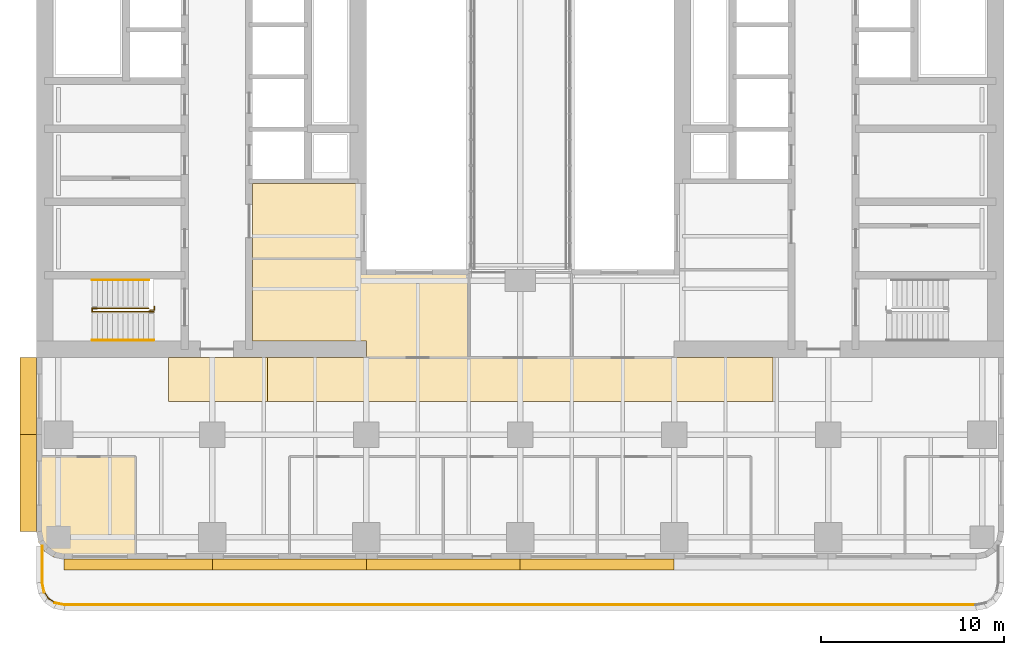
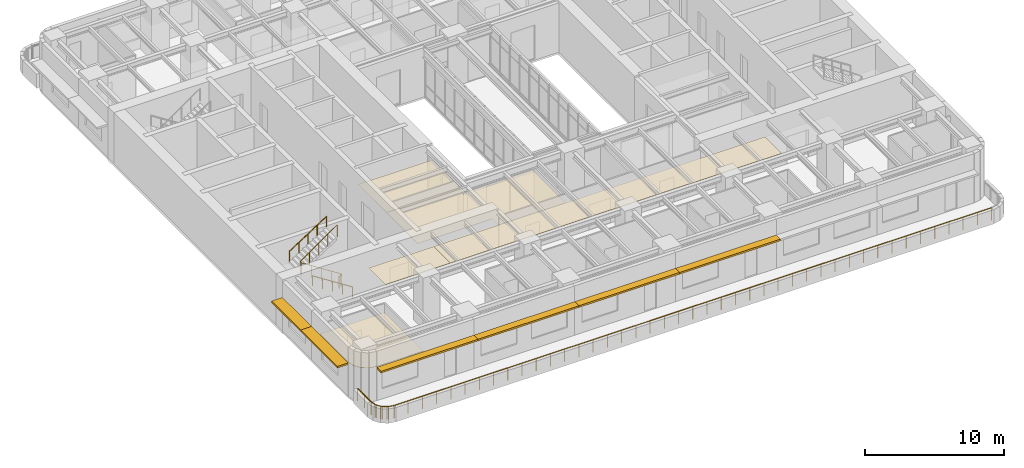
# One storey, part 14 of 17: 10 railings, 6 shading devices, 5 coverings.
"""IFC4 building model written with IfcOpenShell, lengths in metres."""

from ifc_helpers import new_model, si_unit, direction, frame, origin, origin_2d, place, context, subcontext, project, spatial, polyline, rectangle, circle, outline, extrude, material, layer, layer_set, type_object, element, save


model = new_model("IFC4")

# Units and contexts
model_context = context("Model", 3, precision=1e-05, world=origin(), true_north=direction((0.0, 1.0)))
body_context = subcontext(model_context, "Body", "Model", "MODEL_VIEW")
ifc_project = project(units=[si_unit("LENGTHUNIT", "METRE"), si_unit("AREAUNIT", "SQUARE_METRE"), si_unit("VOLUMEUNIT", "CUBIC_METRE"), si_unit("PLANEANGLEUNIT", "RADIAN"), si_unit("MASSUNIT", "GRAM", prefix="KILO")], contexts=[model_context])

# Site, building, storey
site_placement = place(None, origin())
site = spatial("IfcSite", under=ifc_project, at=site_placement, CompositionType="ELEMENT")
building_placement = place(site_placement, origin())
building = spatial("IfcBuilding", under=site, at=building_placement, Name="Claustro Exchange Tower", CompositionType="ELEMENT")
storey_placement = place(building_placement, frame((0.0, 0.0, 96.300048828125)))
storey = spatial("IfcBuildingStorey", under=building, at=storey_placement, Name="L21", CompositionType="ELEMENT", Elevation=96.300048828125)

# Coverings
ifc_material_1 = material(Name="Perforated metal ceiling tiles", Category="steel")
ifc_layer_1 = layer(ifc_material_1, 0.030029296875)
ifc_layer_set_1 = layer_set([ifc_layer_1], Name="Perforated metal ceiling tiles")
covering_type_1 = type_object("IfcCoveringType", Name="CL1 suspended metal ceiling", PredefinedType="CEILING", material=ifc_layer_set_1)
covering_1_placement = place(storey_placement, frame((0.0, 0.0, 3.0)))
element("IfcCovering", 1, at=covering_1_placement, inside=storey, type_object=covering_type_1, Name="Ceiling CL1 L21-08", PredefinedType="CEILING", context=body_context, shape_type="SweptSolid", body=[
    extrude(outline(polyline([(10.60009765625, 12.60009765625), (6.0, 12.60009765625), (6.0, 10.199951171875), (11.39990234375, 10.199951171875), (11.39990234375, 12.60009765625), (10.60009765625, 12.60009765625)])), origin(), (0.0, 0.0, 1.0), 0.030029296875),
])
covering_2_placement = place(storey_placement, frame((0.0, 0.0, 3.0)))
element("IfcCovering", 2, at=covering_2_placement, inside=storey, type_object=covering_type_1, Name="Ceiling CL1 L21-09", PredefinedType="CEILING", context=body_context, shape_type="SweptSolid", body=[
    extrude(outline(polyline([(11.39990234375, 10.199951171875), (39.0, 10.199951171875), (39.0, 12.60009765625), (11.39990234375, 12.60009765625), (11.39990234375, 10.199951171875)])), origin(), (0.0, 0.0, 1.0), 0.030029296875),
])
ifc_material_2 = material(Name="Gypsum board ceiling", Category="gypsum board")
ifc_layer_2 = layer(ifc_material_2, 0.02490234375)
ifc_layer_set_2 = layer_set([ifc_layer_2], Name="Gypsum board ceiling")
covering_type_2 = type_object("IfcCoveringType", Name="CL2 plasterboard ceiling", PredefinedType="CEILING", material=ifc_layer_set_2)
covering_3_placement = place(storey_placement, frame((0.0, 0.0, 3.0)))
element("IfcCovering", 3, at=covering_3_placement, inside=storey, type_object=covering_type_2, Name="Ceiling CL2 L21-02", PredefinedType="CEILING", context=body_context, shape_type="SweptSolid", body=[
    extrude(outline(polyline([(-1.199951171875, 3.10009765625), (-1.085693359375, 2.52587890625), (-0.7607421875, 2.039306640625), (-0.27392578125, 1.714111328125), (0.300048828125, 1.60009765625), (4.199951171875, 1.60009765625), (4.199951171875, 7.199951171875), (-1.199951171875, 7.199951171875), (-1.199951171875, 3.10009765625)])), origin(), (0.0, 0.0, 1.0), 0.02490234375),
])
covering_4_placement = place(storey_placement, frame((0.0, 0.0, 3.0)))
element("IfcCovering", 4, at=covering_4_placement, inside=storey, type_object=covering_type_2, Name="Ceiling CL2 L21-13", PredefinedType="CEILING", context=body_context, shape_type="SweptSolid", body=[
    extrude(outline(polyline([(10.60009765625, 18.0), (10.60009765625, 13.5), (16.800048828125, 13.5), (16.800048828125, 12.60009765625), (22.39990234375, 12.60009765625), (22.39990234375, 17.39990234375), (16.800048828125, 17.39990234375), (16.800048828125, 18.0), (10.60009765625, 18.0)])), origin(), (0.0, 0.0, 1.0), 0.02490234375),
])
covering_5_placement = place(storey_placement, frame((0.0, 0.0, 3.0)))
element("IfcCovering", 5, at=covering_5_placement, inside=storey, type_object=covering_type_2, Name="Ceiling CL2 L21-15", PredefinedType="CEILING", context=body_context, shape_type="SweptSolid", body=[
    extrude(outline(polyline([(16.800048828125, 18.0), (16.800048828125, 22.10009765625), (10.60009765625, 22.10009765625), (10.60009765625, 18.0), (16.800048828125, 18.0)])), origin(), (0.0, 0.0, 1.0), 0.02490234375),
])

# Railings
ifc_material_3 = material(Name="Steel balustrade, painted", Category="steel")
railing_type_1 = type_object("IfcRailingType", Name="GR2 1100 steel stair guard", PredefinedType="GUARDRAIL", material=ifc_material_3)
railing_1_placement = place(storey_placement, frame((5.199951171875, 15.10009765625, 0.179931640625)))
element("IfcRailing", 6, at=railing_1_placement, inside=storey, type_object=railing_type_1, Name="Stair well guard GR2 stair STWA L21", PredefinedType="GUARDRAIL", context=body_context, shape_type="SweptSolid", body=[
    extrude(circle(Radius=0.02392578125, at=origin_2d()), frame((0.0, 0.0, 1.076171875), z_axis=(-0.841178475377, 0.0, 0.540757591313), x_axis=(0.0, -1.0, 0.0)), (0.0, 0.0, 1.0), 3.994140625),
    extrude(circle(Radius=0.02392578125, at=origin_2d()), frame((-3.35986328125, 0.0, 3.23583984375), z_axis=(0.0, 1.0, 0.0), x_axis=(-1.0, 0.0, 0.0)), (0.0, 0.0, 1.0), 0.199951171875),
    extrude(circle(Radius=0.02392578125, at=origin_2d()), frame((-3.35986328125, 0.199951171875, 3.23583984375), z_axis=(0.818698002193, 0.0, 0.574224330036), x_axis=(0.0, 1.0, 0.0)), (0.0, 0.0, 1.0), 3.761962890625),
    extrude(circle(Radius=0.02099609375, at=origin_2d()), origin(), (0.0, 0.0, 1.0), 1.052001953125),
    extrude(circle(Radius=0.02099609375, at=origin_2d()), frame((-0.83984375, 0.0, 0.5400390625)), (0.0, 0.0, 1.0), 1.052001953125),
    extrude(circle(Radius=0.02099609375, at=origin_2d()), frame((-1.679931640625, 0.0, 1.080078125)), (0.0, 0.0, 1.0), 1.052001953125),
    extrude(circle(Radius=0.02099609375, at=origin_2d()), frame((-2.52001953125, 0.0, 1.619873046875)), (0.0, 0.0, 1.0), 1.052001953125),
    extrude(circle(Radius=0.02099609375, at=origin_2d()), frame((-3.35986328125, 0.0, 2.159912109375)), (0.0, 0.0, 1.0), 1.052001953125),
    extrude(circle(Radius=0.02099609375, at=origin_2d()), frame((-3.35986328125, 0.199951171875, 2.159912109375)), (0.0, 0.0, 1.0), 1.052001953125),
    extrude(circle(Radius=0.02099609375, at=origin_2d()), frame((-2.58984375, 0.199951171875, 2.699951171875)), (0.0, 0.0, 1.0), 1.052001953125),
    extrude(circle(Radius=0.02099609375, at=origin_2d()), frame((-1.81982421875, 0.199951171875, 3.239990234375)), (0.0, 0.0, 1.0), 1.052001953125),
    extrude(circle(Radius=0.02099609375, at=origin_2d()), frame((-1.050048828125, 0.199951171875, 3.780029296875)), (0.0, 0.0, 1.0), 1.052001953125),
    extrude(circle(Radius=0.02099609375, at=origin_2d()), frame((-0.280029296875, 0.199951171875, 4.320068359375)), (0.0, 0.0, 1.0), 1.052001953125),
])
railing_2_placement = place(storey_placement, frame((5.0, 15.169921875, 0.0)))
element("IfcRailing", 7, at=railing_2_placement, inside=storey, type_object=railing_type_1, Name="Stair guard GR2 STWA L21", PredefinedType="GUARDRAIL", context=body_context, shape_type="SweptSolid", body=[
    extrude(circle(Radius=0.02392578125, at=origin_2d()), frame((0.0, 0.0, 1.076171875), z_axis=(0.0, 1.0, 0.0), x_axis=(-1.0, 0.0, 0.0)), (0.0, 0.0, 1.0), 0.030029296875),
    extrude(circle(Radius=0.02392578125, at=origin_2d()), frame((0.0, 0.030029296875, 1.076171875), z_axis=(1.0, 0.0, 0.0), x_axis=(0.0, 1.0, 0.0)), (0.0, 0.0, 1.0), 0.22509765625),
    extrude(circle(Radius=0.02392578125, at=origin_2d()), frame((0.22509765625, 0.030029296875, 1.076171875), z_axis=(0.0, 1.0, 0.0), x_axis=(-1.0, 0.0, 0.0)), (0.0, 0.0, 1.0), 0.179931640625),
    extrude(circle(Radius=0.02099609375, at=origin_2d()), origin(), (0.0, 0.0, 1.0), 1.052001953125),
    extrude(circle(Radius=0.02099609375, at=origin_2d()), frame((0.0, 0.030029296875, 0.0)), (0.0, 0.0, 1.0), 1.052001953125),
    extrude(circle(Radius=0.02099609375, at=origin_2d()), frame((0.22509765625, 0.030029296875, 0.0)), (0.0, 0.0, 1.0), 1.052001953125),
    extrude(circle(Radius=0.02099609375, at=origin_2d()), frame((0.22509765625, 0.2099609375, 0.0)), (0.0, 0.0, 1.0), 1.052001953125),
])
ifc_material_4 = material(Name="Stainless steel posts and rail, laminated glass infill", Category="steel")
railing_type_2 = type_object("IfcRailingType", Name="GR3 1100 terrace guard railing", PredefinedType="GUARDRAIL", material=ifc_material_4)
railing_3_placement = place(storey_placement, frame((-0.101806640625, -0.828125, 0.0)))
element("IfcRailing", 8, at=railing_3_placement, inside=storey, type_object=railing_type_2, Name="Terrace guard GR3 L21", PredefinedType="GUARDRAIL", context=body_context, shape_type="SweptSolid", body=[
    extrude(circle(Radius=0.02392578125, at=origin_2d()), frame((0.0, 0.0, 1.076171875), z_axis=(-0.831407946579, 0.555662511211, 0.0), x_axis=(-0.555662511211, -0.831407946579, 0.0)), (0.0, 0.0, 1.0), 0.585205078125),
    extrude(circle(Radius=0.02099609375, at=origin_2d()), origin(), (0.0, 0.0, 1.0), 1.052001953125),
    extrude(circle(Radius=0.02099609375, at=origin_2d()), frame((-0.486572265625, 0.3251953125, 0.0)), (0.0, 0.0, 1.0), 1.052001953125),
])
railing_4_placement = place(storey_placement, frame((-0.5029296875, -0.58837890625, 0.0)))
element("IfcRailing", 9, at=railing_4_placement, inside=storey, type_object=railing_type_2, Name="Terrace guard GR3 L21", PredefinedType="GUARDRAIL", context=body_context, shape_type="SweptSolid", body=[
    extrude(circle(Radius=0.02392578125, at=origin_2d()), frame((0.0, 0.0, 1.076171875), z_axis=(-0.555662511211, 0.831407946579, 0.0), x_axis=(-0.831407946579, -0.555662511211, 0.0)), (0.0, 0.0, 1.0), 0.585205078125),
    extrude(circle(Radius=0.02099609375, at=origin_2d()), origin(), (0.0, 0.0, 1.0), 1.052001953125),
    extrude(circle(Radius=0.02099609375, at=origin_2d()), frame((-0.3251953125, 0.486572265625, 0.0)), (0.0, 0.0, 1.0), 1.052001953125),
])
railing_5_placement = place(storey_placement, frame((-0.78173828125, -0.21337890625, 0.0)))
element("IfcRailing", 10, at=railing_5_placement, inside=storey, type_object=railing_type_2, Name="Terrace guard GR3 L21", PredefinedType="GUARDRAIL", context=body_context, shape_type="SweptSolid", body=[
    extrude(circle(Radius=0.02392578125, at=origin_2d()), frame((0.0, 0.0, 1.076171875), z_axis=(-0.195233589627, 0.980756771825, 0.0), x_axis=(-0.980756771825, -0.195233589627, 0.0)), (0.0, 0.0, 1.0), 0.585205078125),
    extrude(circle(Radius=0.02099609375, at=origin_2d()), origin(), (0.0, 0.0, 1.0), 1.052001953125),
    extrude(circle(Radius=0.02099609375, at=origin_2d()), frame((-0.1142578125, 0.573974609375, 0.0)), (0.0, 0.0, 1.0), 1.052001953125),
])
railing_6_placement = place(storey_placement, frame((-0.889892578125, 0.300048828125, 0.0)))
element("IfcRailing", 11, at=railing_6_placement, inside=storey, type_object=railing_type_2, Name="Terrace guard GR3 L21", PredefinedType="GUARDRAIL", context=body_context, shape_type="SweptSolid", body=[
    extrude(circle(Radius=0.02392578125, at=origin_2d()), frame((0.0, 0.0, 1.076171875), z_axis=(0.0, 1.0, 0.0), x_axis=(-1.0, 0.0, 0.0)), (0.0, 0.0, 1.0), 2.023193359375),
    extrude(circle(Radius=0.02099609375, at=origin_2d()), origin(), (0.0, 0.0, 1.0), 1.052001953125),
    extrude(circle(Radius=0.02099609375, at=origin_2d()), frame((0.0, 1.01171875, 0.0)), (0.0, 0.0, 1.0), 1.052001953125),
    extrude(circle(Radius=0.02099609375, at=origin_2d()), frame((0.0, 2.023193359375, 0.0)), (0.0, 0.0, 1.0), 1.052001953125),
])
railing_7_placement = place(storey_placement, frame((50.10009765625, -0.889892578125, 0.0)))
element("IfcRailing", 12, at=railing_7_placement, inside=storey, type_object=railing_type_2, Name="Terrace guard GR3 L21", PredefinedType="GUARDRAIL", context=body_context, shape_type="SweptSolid", body=[
    extrude(circle(Radius=0.02392578125, at=origin_2d()), frame((0.0, 0.0, 1.076171875), z_axis=(-1.0, 0.0, 0.0), x_axis=(0.0, -1.0, 0.0)), (0.0, 0.0, 1.0), 49.800048828125),
    extrude(circle(Radius=0.02099609375, at=origin_2d()), origin(), (0.0, 0.0, 1.0), 1.052001953125),
    extrude(circle(Radius=0.02099609375, at=origin_2d()), frame((-1.185791015625, 0.0, 0.0)), (0.0, 0.0, 1.0), 1.052001953125),
    extrude(circle(Radius=0.02099609375, at=origin_2d()), frame((-2.371337890625, 0.0, 0.0)), (0.0, 0.0, 1.0), 1.052001953125),
    extrude(circle(Radius=0.02099609375, at=origin_2d()), frame((-3.55712890625, 0.0, 0.0)), (0.0, 0.0, 1.0), 1.052001953125),
    extrude(circle(Radius=0.02099609375, at=origin_2d()), frame((-4.742919921875, 0.0, 0.0)), (0.0, 0.0, 1.0), 1.052001953125),
    extrude(circle(Radius=0.02099609375, at=origin_2d()), frame((-5.928466796875, 0.0, 0.0)), (0.0, 0.0, 1.0), 1.052001953125),
    extrude(circle(Radius=0.02099609375, at=origin_2d()), frame((-7.1142578125, 0.0, 0.0)), (0.0, 0.0, 1.0), 1.052001953125),
    extrude(circle(Radius=0.02099609375, at=origin_2d()), frame((-8.300048828125, 0.0, 0.0)), (0.0, 0.0, 1.0), 1.052001953125),
    extrude(circle(Radius=0.02099609375, at=origin_2d()), frame((-9.48583984375, 0.0, 0.0)), (0.0, 0.0, 1.0), 1.052001953125),
    extrude(circle(Radius=0.02099609375, at=origin_2d()), frame((-10.67138671875, 0.0, 0.0)), (0.0, 0.0, 1.0), 1.052001953125),
    extrude(circle(Radius=0.02099609375, at=origin_2d()), frame((-11.857177734375, 0.0, 0.0)), (0.0, 0.0, 1.0), 1.052001953125),
    extrude(circle(Radius=0.02099609375, at=origin_2d()), frame((-13.04296875, 0.0, 0.0)), (0.0, 0.0, 1.0), 1.052001953125),
    extrude(circle(Radius=0.02099609375, at=origin_2d()), frame((-14.228515625, 0.0, 0.0)), (0.0, 0.0, 1.0), 1.052001953125),
    extrude(circle(Radius=0.02099609375, at=origin_2d()), frame((-15.414306640625, 0.0, 0.0)), (0.0, 0.0, 1.0), 1.052001953125),
    extrude(circle(Radius=0.02099609375, at=origin_2d()), frame((-16.60009765625, 0.0, 0.0)), (0.0, 0.0, 1.0), 1.052001953125),
    extrude(circle(Radius=0.02099609375, at=origin_2d()), frame((-17.78564453125, 0.0, 0.0)), (0.0, 0.0, 1.0), 1.052001953125),
    extrude(circle(Radius=0.02099609375, at=origin_2d()), frame((-18.971435546875, 0.0, 0.0)), (0.0, 0.0, 1.0), 1.052001953125),
    extrude(circle(Radius=0.02099609375, at=origin_2d()), frame((-20.1572265625, 0.0, 0.0)), (0.0, 0.0, 1.0), 1.052001953125),
    extrude(circle(Radius=0.02099609375, at=origin_2d()), frame((-21.3427734375, 0.0, 0.0)), (0.0, 0.0, 1.0), 1.052001953125),
    extrude(circle(Radius=0.02099609375, at=origin_2d()), frame((-22.528564453125, 0.0, 0.0)), (0.0, 0.0, 1.0), 1.052001953125),
    extrude(circle(Radius=0.02099609375, at=origin_2d()), frame((-23.71435546875, 0.0, 0.0)), (0.0, 0.0, 1.0), 1.052001953125),
    extrude(circle(Radius=0.02099609375, at=origin_2d()), frame((-24.89990234375, 0.0, 0.0)), (0.0, 0.0, 1.0), 1.052001953125),
    extrude(circle(Radius=0.02099609375, at=origin_2d()), frame((-26.085693359375, 0.0, 0.0)), (0.0, 0.0, 1.0), 1.052001953125),
    extrude(circle(Radius=0.02099609375, at=origin_2d()), frame((-27.271484375, 0.0, 0.0)), (0.0, 0.0, 1.0), 1.052001953125),
    extrude(circle(Radius=0.02099609375, at=origin_2d()), frame((-28.457275390625, 0.0, 0.0)), (0.0, 0.0, 1.0), 1.052001953125),
    extrude(circle(Radius=0.02099609375, at=origin_2d()), frame((-29.642822265625, 0.0, 0.0)), (0.0, 0.0, 1.0), 1.052001953125),
    extrude(circle(Radius=0.02099609375, at=origin_2d()), frame((-30.82861328125, 0.0, 0.0)), (0.0, 0.0, 1.0), 1.052001953125),
    extrude(circle(Radius=0.02099609375, at=origin_2d()), frame((-32.014404296875, 0.0, 0.0)), (0.0, 0.0, 1.0), 1.052001953125),
    extrude(circle(Radius=0.02099609375, at=origin_2d()), frame((-33.199951171875, 0.0, 0.0)), (0.0, 0.0, 1.0), 1.052001953125),
    extrude(circle(Radius=0.02099609375, at=origin_2d()), frame((-34.3857421875, 0.0, 0.0)), (0.0, 0.0, 1.0), 1.052001953125),
    extrude(circle(Radius=0.02099609375, at=origin_2d()), frame((-35.571533203125, 0.0, 0.0)), (0.0, 0.0, 1.0), 1.052001953125),
    extrude(circle(Radius=0.02099609375, at=origin_2d()), frame((-36.757080078125, 0.0, 0.0)), (0.0, 0.0, 1.0), 1.052001953125),
    extrude(circle(Radius=0.02099609375, at=origin_2d()), frame((-37.94287109375, 0.0, 0.0)), (0.0, 0.0, 1.0), 1.052001953125),
    extrude(circle(Radius=0.02099609375, at=origin_2d()), frame((-39.128662109375, 0.0, 0.0)), (0.0, 0.0, 1.0), 1.052001953125),
    extrude(circle(Radius=0.02099609375, at=origin_2d()), frame((-40.314208984375, 0.0, 0.0)), (0.0, 0.0, 1.0), 1.052001953125),
    extrude(circle(Radius=0.02099609375, at=origin_2d()), frame((-41.5, 0.0, 0.0)), (0.0, 0.0, 1.0), 1.052001953125),
    extrude(circle(Radius=0.02099609375, at=origin_2d()), frame((-42.685791015625, 0.0, 0.0)), (0.0, 0.0, 1.0), 1.052001953125),
    extrude(circle(Radius=0.02099609375, at=origin_2d()), frame((-43.87158203125, 0.0, 0.0)), (0.0, 0.0, 1.0), 1.052001953125),
    extrude(circle(Radius=0.02099609375, at=origin_2d()), frame((-45.05712890625, 0.0, 0.0)), (0.0, 0.0, 1.0), 1.052001953125),
    extrude(circle(Radius=0.02099609375, at=origin_2d()), frame((-46.242919921875, 0.0, 0.0)), (0.0, 0.0, 1.0), 1.052001953125),
    extrude(circle(Radius=0.02099609375, at=origin_2d()), frame((-47.4287109375, 0.0, 0.0)), (0.0, 0.0, 1.0), 1.052001953125),
    extrude(circle(Radius=0.02099609375, at=origin_2d()), frame((-48.6142578125, 0.0, 0.0)), (0.0, 0.0, 1.0), 1.052001953125),
    extrude(circle(Radius=0.02099609375, at=origin_2d()), frame((-49.800048828125, 0.0, 0.0)), (0.0, 0.0, 1.0), 1.052001953125),
])
railing_8_placement = place(storey_placement, frame((0.360595703125, -0.89599609375, 0.0)))
element("IfcRailing", 13, at=railing_8_placement, inside=storey, type_object=railing_type_2, Name="Terrace guard GR3 L21", PredefinedType="GUARDRAIL", context=body_context, shape_type="SweptSolid", body=[
    extrude(circle(Radius=0.02392578125, at=origin_2d()), frame((0.0, 0.0, 1.076171875), z_axis=(-0.980756771825, 0.195233589627, 0.0), x_axis=(-0.195233589627, -0.980756771825, 0.0)), (0.0, 0.0, 1.0), 0.585205078125),
    extrude(circle(Radius=0.02099609375, at=origin_2d()), origin(), (0.0, 0.0, 1.0), 1.052001953125),
    extrude(circle(Radius=0.02099609375, at=origin_2d()), frame((-0.573974609375, 0.1142578125, 0.0)), (0.0, 0.0, 1.0), 1.052001953125),
])
ifc_material_5 = material(Name="Stainless steel tube", Category="steel")
railing_type_3 = type_object("IfcRailingType", Name="HR1 900 stair handrail", PredefinedType="HANDRAIL", material=ifc_material_5)
railing_9_placement = place(storey_placement, frame((5.199951171875, 13.56005859375, 0.179931640625)))
element("IfcRailing", 14, at=railing_9_placement, inside=storey, type_object=railing_type_3, Name="Handrail HR1 stair STWA L21", PredefinedType="HANDRAIL", context=body_context, shape_type="SweptSolid", body=[
    extrude(circle(Radius=0.02392578125, at=origin_2d()), frame((0.0, 0.0, 0.8759765625), z_axis=(-0.841178475377, 0.0, 0.540757591313), x_axis=(0.0, -1.0, 0.0)), (0.0, 0.0, 1.0), 3.994140625),
    extrude(circle(Radius=0.02099609375, at=origin_2d()), origin(), (0.0, 0.0, 1.0), 0.851806640625),
    extrude(circle(Radius=0.02099609375, at=origin_2d()), frame((-0.83984375, 0.0, 0.5400390625)), (0.0, 0.0, 1.0), 0.851806640625),
    extrude(circle(Radius=0.02099609375, at=origin_2d()), frame((-1.679931640625, 0.0, 1.080078125)), (0.0, 0.0, 1.0), 0.851806640625),
    extrude(circle(Radius=0.02099609375, at=origin_2d()), frame((-2.52001953125, 0.0, 1.619873046875)), (0.0, 0.0, 1.0), 0.851806640625),
    extrude(circle(Radius=0.02099609375, at=origin_2d()), frame((-3.35986328125, 0.0, 2.159912109375)), (0.0, 0.0, 1.0), 0.851806640625),
])
railing_10_placement = place(storey_placement, frame((1.840087890625, 16.840087890625, 2.52001953125)))
element("IfcRailing", 15, at=railing_10_placement, inside=storey, type_object=railing_type_3, Name="Handrail HR1 stair STWA L21", PredefinedType="HANDRAIL", context=body_context, shape_type="SweptSolid", body=[
    extrude(circle(Radius=0.02392578125, at=origin_2d()), frame((0.0, 0.0, 0.8759765625), z_axis=(0.841167642724, 0.0, 0.540774441735), x_axis=(0.0, 1.0, 0.0)), (0.0, 0.0, 1.0), 3.661376953125),
    extrude(circle(Radius=0.02099609375, at=origin_2d()), origin(), (0.0, 0.0, 1.0), 0.851806640625),
    extrude(circle(Radius=0.02099609375, at=origin_2d()), frame((0.77001953125, 0.0, 0.4951171875)), (0.0, 0.0, 1.0), 0.851806640625),
    extrude(circle(Radius=0.02099609375, at=origin_2d()), frame((1.5400390625, 0.0, 0.989990234375)), (0.0, 0.0, 1.0), 0.851806640625),
    extrude(circle(Radius=0.02099609375, at=origin_2d()), frame((2.309814453125, 0.0, 1.48486328125)), (0.0, 0.0, 1.0), 0.851806640625),
    extrude(circle(Radius=0.02099609375, at=origin_2d()), frame((3.079833984375, 0.0, 1.97998046875)), (0.0, 0.0, 1.0), 0.851806640625),
])

# Shading devices
ifc_material_6 = material(Name="Concrete HA-40 (C40/50), precast, white cement, acid-etched", Category="concrete")
ifc_layer_3 = layer(ifc_material_6, 0.14990234375)
ifc_layer_set_3 = layer_set([ifc_layer_3], Name="Concrete HA-40 (C40/50), precast, white cement, acid-etched")
shading_device_type_1 = type_object("IfcShadingDeviceType", Name="SS1 600 precast concrete SUNSHADE", PredefinedType="SHUTTER", material=ifc_layer_set_3)
for number, where, z_axis, x_axis, name in (
    (16, (29.39990234375, 1.300048828125, 2.800048828125), (0.0, 0.0, 1.0), (-1.0, 0.0, 0.0), "Precast SUNSHADE SS1 L21"),
    (17, (21.0, 1.300048828125, 2.800048828125), (0.0, 0.0, 1.0), (-1.0, 0.0, 0.0), "Precast SUNSHADE SS1 L21"),
    (18, (12.60009765625, 1.300048828125, 2.800048828125), (0.0, 0.0, 1.0), (-1.0, 0.0, 0.0), "Precast SUNSHADE SS1 L21"),
):
    element("IfcShadingDevice", number, at=place(storey_placement, frame(where, z_axis=z_axis, x_axis=x_axis)), inside=storey, type_object=shading_device_type_1, Name=name, PredefinedType="SHUTTER", context=body_context, shape_type="SweptSolid", body=[
        extrude(rectangle(XDim=8.39990234375, YDim=0.60009765625, at=origin_2d()), origin(), (0.0, 0.0, 1.0), 0.14990234375),
    ])
shading_device_1_placement = place(storey_placement, frame((4.357421875, 1.300048828125, 2.800048828125), z_axis=(0.0, 0.0, 1.0), x_axis=(-1.0, 0.0, 0.0)))
element("IfcShadingDevice", 19, at=shading_device_1_placement, inside=storey, type_object=shading_device_type_1, Name="Precast SUNSHADE SS1 L21", PredefinedType="SHUTTER", context=body_context, shape_type="SweptSolid", body=[
    extrude(rectangle(XDim=8.085205078125, YDim=0.60009765625, at=origin_2d()), origin(), (0.0, 0.0, 1.0), 0.14990234375),
])
ifc_material_7 = material(Name="Concrete HA-40 (C40/50), precast, white cement, acid-etched", Category="concrete")
ifc_layer_4 = layer(ifc_material_7, 0.14990234375)
ifc_layer_set_4 = layer_set([ifc_layer_4], Name="Concrete HA-40 (C40/50), precast, white cement, acid-etched")
shading_device_type_2 = type_object("IfcShadingDeviceType", Name="SS2 900 precast concrete SUNSHADE", PredefinedType="SHUTTER", material=ifc_layer_set_4)
shading_device_2_placement = place(storey_placement, frame((-1.64990234375, 5.75732421875, 2.800048828125), z_axis=(0.0, 0.0, 1.0), x_axis=(0.0, 1.0, 0.0)))
element("IfcShadingDevice", 20, at=shading_device_2_placement, inside=storey, type_object=shading_device_type_2, Name="Precast SUNSHADE SS2 L21", PredefinedType="SHUTTER", context=body_context, shape_type="SweptSolid", body=[
    extrude(rectangle(XDim=5.28515625, YDim=0.89990234375, at=origin_2d()), origin(), (0.0, 0.0, 1.0), 0.14990234375),
])
shading_device_3_placement = place(storey_placement, frame((-1.64990234375, 10.5, 2.800048828125), z_axis=(0.0, 0.0, 1.0), x_axis=(0.0, 1.0, 0.0)))
element("IfcShadingDevice", 21, at=shading_device_3_placement, inside=storey, type_object=shading_device_type_2, Name="Precast SUNSHADE SS2 L21", PredefinedType="SHUTTER", context=body_context, shape_type="SweptSolid", body=[
    extrude(rectangle(XDim=4.199951171875, YDim=0.89990234375, at=origin_2d()), origin(), (0.0, 0.0, 1.0), 0.14990234375),
])

save(model, "model.ifc")
